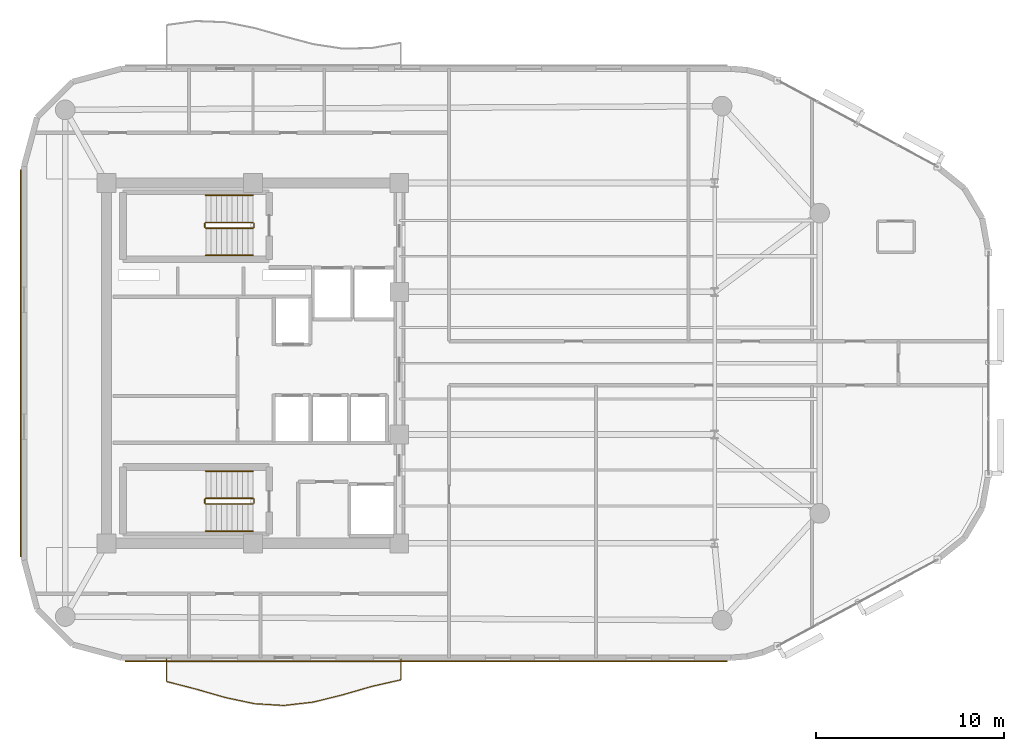
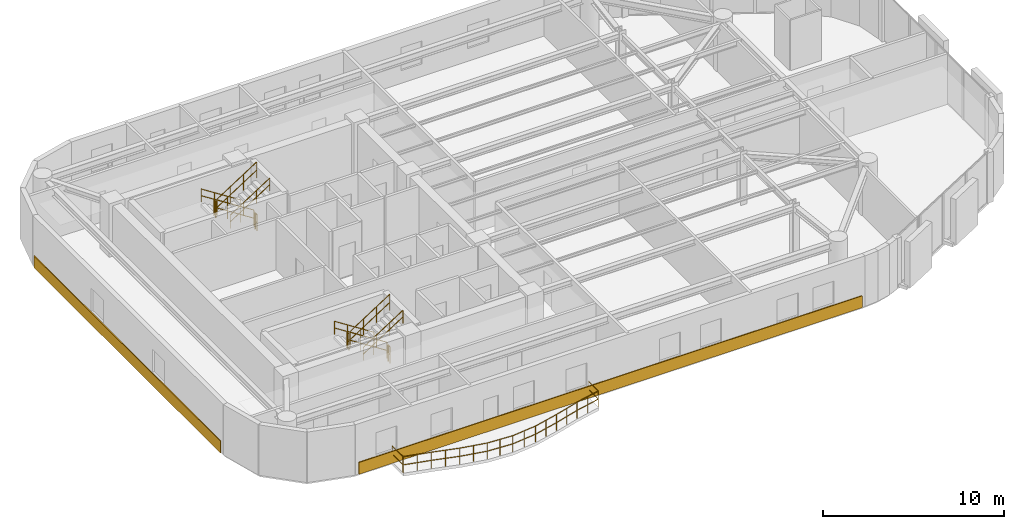
# One storey, part 12 of 13: 13 railings, 2 coverings.
"""IFC4 building model written with IfcOpenShell, lengths in metres."""

from ifc_helpers import new_model, si_unit, direction, frame, origin, origin_2d, place, context, subcontext, project, spatial, rectangle, circle, extrude, material, layer, layer_set, type_object, element, save


model = new_model("IFC4")

# Units and contexts
model_context = context("Model", 3, precision=1e-05, world=origin(), true_north=direction((0.0, 1.0)))
body_context = subcontext(model_context, "Body", "Model", "MODEL_VIEW")
ifc_project = project(units=[si_unit("LENGTHUNIT", "METRE"), si_unit("AREAUNIT", "SQUARE_METRE"), si_unit("VOLUMEUNIT", "CUBIC_METRE"), si_unit("PLANEANGLEUNIT", "RADIAN"), si_unit("MASSUNIT", "GRAM", prefix="KILO")], contexts=[model_context])

# Site, building, storey
site_placement = place(None, origin())
site = spatial("IfcSite", under=ifc_project, at=site_placement, CompositionType="ELEMENT")
building_placement = place(site_placement, origin())
building = spatial("IfcBuilding", under=site, at=building_placement, Name="An Khanh Terracotta Commons", CompositionType="ELEMENT")
storey_placement = place(building_placement, frame((0.0, 0.0, 204.89990234375)))
storey = spatial("IfcBuildingStorey", under=building, at=storey_placement, Name="L53", CompositionType="ELEMENT", Elevation=204.89990234375)

# Coverings
ifc_material_1 = material(Name="Fired Terracotta Rainscreen Cladding", Category="masonry")
ifc_layer = layer(ifc_material_1, 0.06005859375, Name="Fired Terracotta Rainscreen Cladding")
ifc_layer_set = layer_set([ifc_layer], Name="Fired Terracotta Rainscreen Cladding")
covering_type = type_object("IfcCoveringType", Name="COV-SPANDREL-TERRA", PredefinedType="CLADDING", material=ifc_layer_set)
covering_1_placement = place(storey_placement, frame((38.64208984375, 8.1201171875, 0.02001953125), z_axis=(0.0, 0.0, 1.0), x_axis=(1.0, 0.0, 0.0)))
element("IfcCovering", 1, at=covering_1_placement, inside=storey, type_object=covering_type, Name="L53 Terracotta Spandrel Cladding 4", PredefinedType="CLADDING", context=body_context, shape_type="SweptSolid", body=[
    extrude(rectangle(XDim=32.0849609375, YDim=0.06005859375, at=origin_2d()), origin(), (0.0, 0.0, 1.0), 0.800048828125),
])
covering_2_placement = place(storey_placement, frame((17.02001953125, 24.0, 0.02001953125), z_axis=(0.0, 0.0, 1.0), x_axis=(0.0, -1.0, 0.0)))
element("IfcCovering", 2, at=covering_2_placement, inside=storey, type_object=covering_type, Name="L53 Terracotta Spandrel Cladding 24", PredefinedType="CLADDING", context=body_context, shape_type="SweptSolid", body=[
    extrude(rectangle(XDim=20.60009765625, YDim=0.06005859375, at=origin_2d()), origin(), (0.0, 0.0, 1.0), 0.800048828125),
])

# Railings
ifc_material_2 = material(Name="Brushed Stainless Steel 316", Category="steel")
railing_type_1 = type_object("IfcRailingType", Name="RAIL-BALUSTRADE-1100", PredefinedType="BALUSTRADE", material=ifc_material_2)
railing_1_placement = place(storey_placement, frame((24.800048828125, 8.239990234375, 0.0)))
element("IfcRailing", 3, at=railing_1_placement, inside=storey, type_object=railing_type_1, Name="L53 S Wave Balcony Guard Balustrade", PredefinedType="BALUSTRADE", context=body_context, shape_type="SweptSolid", body=[
    extrude(circle(Radius=0.02392578125, at=origin_2d()), frame((0.0, 0.0, 1.076171875), z_axis=(0.0, -1.0, 0.0), x_axis=(1.0, 0.0, 0.0)), (0.0, 0.0, 1.0), 1.199951171875),
    extrude(circle(Radius=0.02392578125, at=origin_2d()), frame((0.0, 0.0, 0.52587890625), z_axis=(0.0, -1.0, 0.0), x_axis=(1.0, 0.0, 0.0)), (0.0, 0.0, 1.0), 1.199951171875),
    extrude(circle(Radius=0.02392578125, at=origin_2d()), frame((0.0, -1.199951171875, 1.076171875), z_axis=(0.968464779467, -0.24915049856, 0.0), x_axis=(0.24915049856, 0.968464779467, 0.0)), (0.0, 0.0, 1.0), 1.61376953125),
    extrude(circle(Radius=0.02392578125, at=origin_2d()), frame((0.0, -1.199951171875, 0.52587890625), z_axis=(0.968464779467, -0.24915049856, 0.0), x_axis=(0.24915049856, 0.968464779467, 0.0)), (0.0, 0.0, 1.0), 1.61376953125),
    extrude(circle(Radius=0.02392578125, at=origin_2d()), frame((1.56298828125, -1.60205078125, 1.076171875), z_axis=(0.961086255424, -0.27624845635, 0.0), x_axis=(0.27624845635, 0.961086255424, 0.0)), (0.0, 0.0, 1.0), 1.625244140625),
    extrude(circle(Radius=0.02392578125, at=origin_2d()), frame((1.56298828125, -1.60205078125, 0.52587890625), z_axis=(0.961086255424, -0.27624845635, 0.0), x_axis=(0.27624845635, 0.961086255424, 0.0)), (0.0, 0.0, 1.0), 1.625244140625),
    extrude(circle(Radius=0.02392578125, at=origin_2d()), frame((3.125, -2.051025390625, 1.076171875), z_axis=(0.97817205175, -0.207796624552, 0.0), x_axis=(0.207796624552, 0.97817205175, 0.0)), (0.0, 0.0, 1.0), 1.597900390625),
    extrude(circle(Radius=0.02392578125, at=origin_2d()), frame((3.125, -2.051025390625, 0.52587890625), z_axis=(0.97817205175, -0.207796624552, 0.0), x_axis=(0.207796624552, 0.97817205175, 0.0)), (0.0, 0.0, 1.0), 1.597900390625),
    extrude(circle(Radius=0.02392578125, at=origin_2d()), frame((4.68798828125, -2.383056640625, 1.076171875), z_axis=(0.998231609022, -0.059444551897, 0.0), x_axis=(0.059444551897, 0.998231609022, 0.0)), (0.0, 0.0, 1.0), 1.564697265625),
    extrude(circle(Radius=0.02392578125, at=origin_2d()), frame((4.68798828125, -2.383056640625, 0.52587890625), z_axis=(0.998231609022, -0.059444551897, 0.0), x_axis=(0.059444551897, 0.998231609022, 0.0)), (0.0, 0.0, 1.0), 1.564697265625),
    extrude(circle(Radius=0.02392578125, at=origin_2d()), frame((6.25, -2.47607421875, 1.076171875), z_axis=(0.993571157369, 0.113209342564, 0.0), x_axis=(-0.113209342564, 0.993571157369, 0.0)), (0.0, 0.0, 1.0), 1.572021484375),
    extrude(circle(Radius=0.02392578125, at=origin_2d()), frame((6.25, -2.47607421875, 0.52587890625), z_axis=(0.993571157369, 0.113209342564, 0.0), x_axis=(-0.113209342564, 0.993571157369, 0.0)), (0.0, 0.0, 1.0), 1.572021484375),
    extrude(circle(Radius=0.02392578125, at=origin_2d()), frame((7.81201171875, -2.298095703125, 1.076171875), z_axis=(0.9708342931, 0.239751486628, 0.0), x_axis=(-0.239751486628, 0.9708342931, 0.0)), (0.0, 0.0, 1.0), 1.60986328125),
    extrude(circle(Radius=0.02392578125, at=origin_2d()), frame((7.81201171875, -2.298095703125, 0.52587890625), z_axis=(0.9708342931, 0.239751486628, 0.0), x_axis=(-0.239751486628, 0.9708342931, 0.0)), (0.0, 0.0, 1.0), 1.60986328125),
    extrude(circle(Radius=0.02392578125, at=origin_2d()), frame((9.375, -1.912109375, 1.076171875), z_axis=(0.960566374917, 0.278050785612, 0.0), x_axis=(-0.278050785612, 0.960566374917, 0.0)), (0.0, 0.0, 1.0), 1.626220703125),
    extrude(circle(Radius=0.02392578125, at=origin_2d()), frame((9.375, -1.912109375, 0.52587890625), z_axis=(0.960566374917, 0.278050785612, 0.0), x_axis=(-0.278050785612, 0.960566374917, 0.0)), (0.0, 0.0, 1.0), 1.626220703125),
    extrude(circle(Radius=0.02392578125, at=origin_2d()), frame((10.93701171875, -1.4599609375, 1.076171875), z_axis=(0.975297200587, 0.220896741776, 0.0), x_axis=(-0.220896741776, 0.975297200587, 0.0)), (0.0, 0.0, 1.0), 1.6025390625),
    extrude(circle(Radius=0.02392578125, at=origin_2d()), frame((10.93701171875, -1.4599609375, 0.52587890625), z_axis=(0.975297200587, 0.220896741776, 0.0), x_axis=(-0.220896741776, 0.975297200587, 0.0)), (0.0, 0.0, 1.0), 1.6025390625),
    extrude(circle(Radius=0.02392578125, at=origin_2d()), frame((12.5, -1.10595703125, 1.076171875), z_axis=(0.0, 1.0, 0.0), x_axis=(-1.0, 0.0, 0.0)), (0.0, 0.0, 1.0), 1.10595703125),
    extrude(circle(Radius=0.02392578125, at=origin_2d()), frame((12.5, -1.10595703125, 0.52587890625), z_axis=(0.0, 1.0, 0.0), x_axis=(-1.0, 0.0, 0.0)), (0.0, 0.0, 1.0), 1.10595703125),
    extrude(circle(Radius=0.02099609375, at=origin_2d()), origin(), (0.0, 0.0, 1.0), 1.052001953125),
    extrude(circle(Radius=0.02099609375, at=origin_2d()), frame((0.0, -1.199951171875, 0.0)), (0.0, 0.0, 1.0), 1.052001953125),
    extrude(circle(Radius=0.02099609375, at=origin_2d()), frame((0.781494140625, -1.40087890625, 0.0)), (0.0, 0.0, 1.0), 1.052001953125),
    extrude(circle(Radius=0.02099609375, at=origin_2d()), frame((1.56298828125, -1.60205078125, 0.0)), (0.0, 0.0, 1.0), 1.052001953125),
    extrude(circle(Radius=0.02099609375, at=origin_2d()), frame((2.343994140625, -1.82666015625, 0.0)), (0.0, 0.0, 1.0), 1.052001953125),
    extrude(circle(Radius=0.02099609375, at=origin_2d()), frame((3.125, -2.051025390625, 0.0)), (0.0, 0.0, 1.0), 1.052001953125),
    extrude(circle(Radius=0.02099609375, at=origin_2d()), frame((3.906494140625, -2.217041015625, 0.0)), (0.0, 0.0, 1.0), 1.052001953125),
    extrude(circle(Radius=0.02099609375, at=origin_2d()), frame((4.68798828125, -2.383056640625, 0.0)), (0.0, 0.0, 1.0), 1.052001953125),
    extrude(circle(Radius=0.02099609375, at=origin_2d()), frame((5.468994140625, -2.4296875, 0.0)), (0.0, 0.0, 1.0), 1.052001953125),
    extrude(circle(Radius=0.02099609375, at=origin_2d()), frame((6.25, -2.47607421875, 0.0)), (0.0, 0.0, 1.0), 1.052001953125),
    extrude(circle(Radius=0.02099609375, at=origin_2d()), frame((7.031005859375, -2.38720703125, 0.0)), (0.0, 0.0, 1.0), 1.052001953125),
    extrude(circle(Radius=0.02099609375, at=origin_2d()), frame((7.81201171875, -2.298095703125, 0.0)), (0.0, 0.0, 1.0), 1.052001953125),
    extrude(circle(Radius=0.02099609375, at=origin_2d()), frame((8.593505859375, -2.10498046875, 0.0)), (0.0, 0.0, 1.0), 1.052001953125),
    extrude(circle(Radius=0.02099609375, at=origin_2d()), frame((9.375, -1.912109375, 0.0)), (0.0, 0.0, 1.0), 1.052001953125),
    extrude(circle(Radius=0.02099609375, at=origin_2d()), frame((10.156005859375, -1.68603515625, 0.0)), (0.0, 0.0, 1.0), 1.052001953125),
    extrude(circle(Radius=0.02099609375, at=origin_2d()), frame((10.93701171875, -1.4599609375, 0.0)), (0.0, 0.0, 1.0), 1.052001953125),
    extrude(circle(Radius=0.02099609375, at=origin_2d()), frame((11.718505859375, -1.282958984375, 0.0)), (0.0, 0.0, 1.0), 1.052001953125),
    extrude(circle(Radius=0.02099609375, at=origin_2d()), frame((12.5, -1.10595703125, 0.0)), (0.0, 0.0, 1.0), 1.052001953125),
    extrude(circle(Radius=0.02099609375, at=origin_2d()), frame((12.5, 0.0, 0.0)), (0.0, 0.0, 1.0), 1.052001953125),
])
railing_type_2 = type_object("IfcRailingType", Name="RAIL-HANDRAIL-900", PredefinedType="HANDRAIL", material=ifc_material_2)
railing_2_placement = place(storey_placement, frame((29.409912109375, 32.949951171875, 0.18017578125)))
element("IfcRailing", 4, at=railing_2_placement, inside=storey, type_object=railing_type_2, Name="L53 ST-01 stair handrail 1", PredefinedType="HANDRAIL", context=body_context, shape_type="SweptSolid", body=[
    extrude(circle(Radius=0.02392578125, at=origin_2d()), frame((0.0, 0.0, 0.8759765625), z_axis=(-0.841199657755, 0.0, 0.540724639528), x_axis=(0.0, -1.0, 0.0)), (0.0, 0.0, 1.0), 2.995849609375),
    extrude(circle(Radius=0.02392578125, at=origin_2d()), frame((0.0, 0.0, 0.42578125), z_axis=(-0.841199657755, 0.0, 0.540724639528), x_axis=(0.0, -1.0, 0.0)), (0.0, 0.0, 1.0), 2.995849609375),
    extrude(circle(Radius=0.02099609375, at=origin_2d()), origin(), (0.0, 0.0, 1.0), 0.851806640625),
    extrude(circle(Radius=0.02099609375, at=origin_2d()), frame((-0.840087890625, 0.0, 0.5400390625)), (0.0, 0.0, 1.0), 0.851806640625),
    extrude(circle(Radius=0.02099609375, at=origin_2d()), frame((-1.679931640625, 0.0, 1.079833984375)), (0.0, 0.0, 1.0), 0.851806640625),
    extrude(circle(Radius=0.02099609375, at=origin_2d()), frame((-2.52001953125, 0.0, 1.619873046875)), (0.0, 0.0, 1.0), 0.851806640625),
])
railing_3_placement = place(storey_placement, frame((26.889892578125, 29.75, 1.97998046875)))
element("IfcRailing", 5, at=railing_3_placement, inside=storey, type_object=railing_type_2, Name="L53 ST-01 stair handrail 2", PredefinedType="HANDRAIL", context=body_context, shape_type="SweptSolid", body=[
    extrude(circle(Radius=0.02392578125, at=origin_2d()), frame((0.0, 0.0, 0.8759765625), z_axis=(0.841162588446, 0.0, 0.540782303519), x_axis=(0.0, 1.0, 0.0)), (0.0, 0.0, 1.0), 2.995849609375),
    extrude(circle(Radius=0.02392578125, at=origin_2d()), frame((0.0, 0.0, 0.42578125), z_axis=(0.841162588446, 0.0, 0.540782303519), x_axis=(0.0, 1.0, 0.0)), (0.0, 0.0, 1.0), 2.995849609375),
    extrude(circle(Radius=0.02099609375, at=origin_2d()), origin(), (0.0, 0.0, 1.0), 0.851806640625),
    extrude(circle(Radius=0.02099609375, at=origin_2d()), frame((0.840087890625, 0.0, 0.5400390625)), (0.0, 0.0, 1.0), 0.851806640625),
    extrude(circle(Radius=0.02099609375, at=origin_2d()), frame((1.679931640625, 0.0, 1.080078125)), (0.0, 0.0, 1.0), 0.851806640625),
    extrude(circle(Radius=0.02099609375, at=origin_2d()), frame((2.52001953125, 0.0, 1.6201171875)), (0.0, 0.0, 1.0), 0.851806640625),
])
railing_4_placement = place(storey_placement, frame((29.409912109375, 18.25, 0.18017578125)))
element("IfcRailing", 6, at=railing_4_placement, inside=storey, type_object=railing_type_2, Name="L53 ST-02 stair handrail 1", PredefinedType="HANDRAIL", context=body_context, shape_type="SweptSolid", body=[
    extrude(circle(Radius=0.02392578125, at=origin_2d()), frame((0.0, 0.0, 0.8759765625), z_axis=(-0.841199657755, 0.0, 0.540724639528), x_axis=(0.0, -1.0, 0.0)), (0.0, 0.0, 1.0), 2.995849609375),
    extrude(circle(Radius=0.02392578125, at=origin_2d()), frame((0.0, 0.0, 0.42578125), z_axis=(-0.841199657755, 0.0, 0.540724639528), x_axis=(0.0, -1.0, 0.0)), (0.0, 0.0, 1.0), 2.995849609375),
    extrude(circle(Radius=0.02099609375, at=origin_2d()), origin(), (0.0, 0.0, 1.0), 0.851806640625),
    extrude(circle(Radius=0.02099609375, at=origin_2d()), frame((-0.840087890625, 0.0, 0.5400390625)), (0.0, 0.0, 1.0), 0.851806640625),
    extrude(circle(Radius=0.02099609375, at=origin_2d()), frame((-1.679931640625, 0.0, 1.079833984375)), (0.0, 0.0, 1.0), 0.851806640625),
    extrude(circle(Radius=0.02099609375, at=origin_2d()), frame((-2.52001953125, 0.0, 1.619873046875)), (0.0, 0.0, 1.0), 0.851806640625),
])
railing_5_placement = place(storey_placement, frame((26.889892578125, 15.050048828125, 1.97998046875)))
element("IfcRailing", 7, at=railing_5_placement, inside=storey, type_object=railing_type_2, Name="L53 ST-02 stair handrail 2", PredefinedType="HANDRAIL", context=body_context, shape_type="SweptSolid", body=[
    extrude(circle(Radius=0.02392578125, at=origin_2d()), frame((0.0, 0.0, 0.8759765625), z_axis=(0.841162588446, 0.0, 0.540782303519), x_axis=(0.0, 1.0, 0.0)), (0.0, 0.0, 1.0), 2.995849609375),
    extrude(circle(Radius=0.02392578125, at=origin_2d()), frame((0.0, 0.0, 0.42578125), z_axis=(0.841162588446, 0.0, 0.540782303519), x_axis=(0.0, 1.0, 0.0)), (0.0, 0.0, 1.0), 2.995849609375),
    extrude(circle(Radius=0.02099609375, at=origin_2d()), origin(), (0.0, 0.0, 1.0), 0.851806640625),
    extrude(circle(Radius=0.02099609375, at=origin_2d()), frame((0.840087890625, 0.0, 0.5400390625)), (0.0, 0.0, 1.0), 0.851806640625),
    extrude(circle(Radius=0.02099609375, at=origin_2d()), frame((1.679931640625, 0.0, 1.080078125)), (0.0, 0.0, 1.0), 0.851806640625),
    extrude(circle(Radius=0.02099609375, at=origin_2d()), frame((2.52001953125, 0.0, 1.6201171875)), (0.0, 0.0, 1.0), 0.851806640625),
])
ifc_material_3 = material(Name="Powder-Coated Steel S355J2", Category="steel")
railing_type_3 = type_object("IfcRailingType", Name="RAIL-STAIR-GUARD-1100", PredefinedType="BALUSTRADE", material=ifc_material_3)
railing_6_placement = place(storey_placement, frame((29.409912109375, 31.5, 0.18017578125)))
element("IfcRailing", 8, at=railing_6_placement, inside=storey, type_object=railing_type_3, Name="L53 ST-01 stair guard 1", PredefinedType="BALUSTRADE", context=body_context, shape_type="SweptSolid", body=[
    extrude(circle(Radius=0.02392578125, at=origin_2d()), frame((0.0, 0.0, 1.076171875), z_axis=(-0.841199657755, 0.0, 0.540724639528), x_axis=(0.0, -1.0, 0.0)), (0.0, 0.0, 1.0), 2.995849609375),
    extrude(circle(Radius=0.02392578125, at=origin_2d()), frame((0.0, 0.0, 0.52587890625), z_axis=(-0.841199657755, 0.0, 0.540724639528), x_axis=(0.0, -1.0, 0.0)), (0.0, 0.0, 1.0), 2.995849609375),
    extrude(circle(Radius=0.02099609375, at=origin_2d()), origin(), (0.0, 0.0, 1.0), 1.052001953125),
    extrude(circle(Radius=0.02099609375, at=origin_2d()), frame((-0.840087890625, 0.0, 0.5400390625)), (0.0, 0.0, 1.0), 1.052001953125),
    extrude(circle(Radius=0.02099609375, at=origin_2d()), frame((-1.679931640625, 0.0, 1.079833984375)), (0.0, 0.0, 1.0), 1.052001953125),
    extrude(circle(Radius=0.02099609375, at=origin_2d()), frame((-2.52001953125, 0.0, 1.619873046875)), (0.0, 0.0, 1.0), 1.052001953125),
])
railing_7_placement = place(storey_placement, frame((26.840087890625, 31.449951171875, 1.800048828125)))
element("IfcRailing", 9, at=railing_7_placement, inside=storey, type_object=railing_type_3, Name="L53 ST-01 stair guard 2", PredefinedType="BALUSTRADE", context=body_context, shape_type="SweptSolid", body=[
    extrude(circle(Radius=0.02392578125, at=origin_2d()), frame((0.0, 0.0, 1.076171875), z_axis=(0.0, -1.0, 0.0), x_axis=(1.0, 0.0, 0.0)), (0.0, 0.0, 1.0), 0.199951171875),
    extrude(circle(Radius=0.02392578125, at=origin_2d()), frame((0.0, 0.0, 0.52587890625), z_axis=(0.0, -1.0, 0.0), x_axis=(1.0, 0.0, 0.0)), (0.0, 0.0, 1.0), 0.199951171875),
    extrude(circle(Radius=0.02099609375, at=origin_2d()), origin(), (0.0, 0.0, 1.0), 1.052001953125),
    extrude(circle(Radius=0.02099609375, at=origin_2d()), frame((0.0, -0.199951171875, 0.0)), (0.0, 0.0, 1.0), 1.052001953125),
])
railing_8_placement = place(storey_placement, frame((26.889892578125, 31.199951171875, 1.97998046875)))
element("IfcRailing", 10, at=railing_8_placement, inside=storey, type_object=railing_type_3, Name="L53 ST-01 stair guard 3", PredefinedType="BALUSTRADE", context=body_context, shape_type="SweptSolid", body=[
    extrude(circle(Radius=0.02392578125, at=origin_2d()), frame((0.0, 0.0, 1.076171875), z_axis=(0.841162588446, 0.0, 0.540782303519), x_axis=(0.0, 1.0, 0.0)), (0.0, 0.0, 1.0), 2.995849609375),
    extrude(circle(Radius=0.02392578125, at=origin_2d()), frame((0.0, 0.0, 0.52587890625), z_axis=(0.841162588446, 0.0, 0.540782303519), x_axis=(0.0, 1.0, 0.0)), (0.0, 0.0, 1.0), 2.995849609375),
    extrude(circle(Radius=0.02099609375, at=origin_2d()), origin(), (0.0, 0.0, 1.0), 1.052001953125),
    extrude(circle(Radius=0.02099609375, at=origin_2d()), frame((0.840087890625, 0.0, 0.5400390625)), (0.0, 0.0, 1.0), 1.052001953125),
    extrude(circle(Radius=0.02099609375, at=origin_2d()), frame((1.679931640625, 0.0, 1.080078125)), (0.0, 0.0, 1.0), 1.052001953125),
    extrude(circle(Radius=0.02099609375, at=origin_2d()), frame((2.52001953125, 0.0, 1.6201171875)), (0.0, 0.0, 1.0), 1.052001953125),
])
railing_9_placement = place(storey_placement, frame((29.4599609375, 31.449951171875, 0.0)))
element("IfcRailing", 11, at=railing_9_placement, inside=storey, type_object=railing_type_3, Name="L53 ST-01 stair guard 4", PredefinedType="BALUSTRADE", context=body_context, shape_type="SweptSolid", body=[
    extrude(circle(Radius=0.02392578125, at=origin_2d()), frame((0.0, 0.0, 1.076171875), z_axis=(0.0, -1.0, 0.0), x_axis=(1.0, 0.0, 0.0)), (0.0, 0.0, 1.0), 0.199951171875),
    extrude(circle(Radius=0.02392578125, at=origin_2d()), frame((0.0, 0.0, 0.52587890625), z_axis=(0.0, -1.0, 0.0), x_axis=(1.0, 0.0, 0.0)), (0.0, 0.0, 1.0), 0.199951171875),
    extrude(circle(Radius=0.02099609375, at=origin_2d()), origin(), (0.0, 0.0, 1.0), 1.052001953125),
    extrude(circle(Radius=0.02099609375, at=origin_2d()), frame((0.0, -0.199951171875, 0.0)), (0.0, 0.0, 1.0), 1.052001953125),
])
railing_10_placement = place(storey_placement, frame((29.409912109375, 16.800048828125, 0.18017578125)))
element("IfcRailing", 12, at=railing_10_placement, inside=storey, type_object=railing_type_3, Name="L53 ST-02 stair guard 1", PredefinedType="BALUSTRADE", context=body_context, shape_type="SweptSolid", body=[
    extrude(circle(Radius=0.02392578125, at=origin_2d()), frame((0.0, 0.0, 1.076171875), z_axis=(-0.841199657755, 0.0, 0.540724639528), x_axis=(0.0, -1.0, 0.0)), (0.0, 0.0, 1.0), 2.995849609375),
    extrude(circle(Radius=0.02392578125, at=origin_2d()), frame((0.0, 0.0, 0.52587890625), z_axis=(-0.841199657755, 0.0, 0.540724639528), x_axis=(0.0, -1.0, 0.0)), (0.0, 0.0, 1.0), 2.995849609375),
    extrude(circle(Radius=0.02099609375, at=origin_2d()), origin(), (0.0, 0.0, 1.0), 1.052001953125),
    extrude(circle(Radius=0.02099609375, at=origin_2d()), frame((-0.840087890625, 0.0, 0.5400390625)), (0.0, 0.0, 1.0), 1.052001953125),
    extrude(circle(Radius=0.02099609375, at=origin_2d()), frame((-1.679931640625, 0.0, 1.079833984375)), (0.0, 0.0, 1.0), 1.052001953125),
    extrude(circle(Radius=0.02099609375, at=origin_2d()), frame((-2.52001953125, 0.0, 1.619873046875)), (0.0, 0.0, 1.0), 1.052001953125),
])
railing_11_placement = place(storey_placement, frame((26.840087890625, 16.75, 1.800048828125)))
element("IfcRailing", 13, at=railing_11_placement, inside=storey, type_object=railing_type_3, Name="L53 ST-02 stair guard 2", PredefinedType="BALUSTRADE", context=body_context, shape_type="SweptSolid", body=[
    extrude(circle(Radius=0.02392578125, at=origin_2d()), frame((0.0, 0.0, 1.076171875), z_axis=(0.0, -1.0, 0.0), x_axis=(1.0, 0.0, 0.0)), (0.0, 0.0, 1.0), 0.199951171875),
    extrude(circle(Radius=0.02392578125, at=origin_2d()), frame((0.0, 0.0, 0.52587890625), z_axis=(0.0, -1.0, 0.0), x_axis=(1.0, 0.0, 0.0)), (0.0, 0.0, 1.0), 0.199951171875),
    extrude(circle(Radius=0.02099609375, at=origin_2d()), origin(), (0.0, 0.0, 1.0), 1.052001953125),
    extrude(circle(Radius=0.02099609375, at=origin_2d()), frame((0.0, -0.199951171875, 0.0)), (0.0, 0.0, 1.0), 1.052001953125),
])
railing_12_placement = place(storey_placement, frame((26.889892578125, 16.5, 1.97998046875)))
element("IfcRailing", 14, at=railing_12_placement, inside=storey, type_object=railing_type_3, Name="L53 ST-02 stair guard 3", PredefinedType="BALUSTRADE", context=body_context, shape_type="SweptSolid", body=[
    extrude(circle(Radius=0.02392578125, at=origin_2d()), frame((0.0, 0.0, 1.076171875), z_axis=(0.841162588446, 0.0, 0.540782303519), x_axis=(0.0, 1.0, 0.0)), (0.0, 0.0, 1.0), 2.995849609375),
    extrude(circle(Radius=0.02392578125, at=origin_2d()), frame((0.0, 0.0, 0.52587890625), z_axis=(0.841162588446, 0.0, 0.540782303519), x_axis=(0.0, 1.0, 0.0)), (0.0, 0.0, 1.0), 2.995849609375),
    extrude(circle(Radius=0.02099609375, at=origin_2d()), origin(), (0.0, 0.0, 1.0), 1.052001953125),
    extrude(circle(Radius=0.02099609375, at=origin_2d()), frame((0.840087890625, 0.0, 0.5400390625)), (0.0, 0.0, 1.0), 1.052001953125),
    extrude(circle(Radius=0.02099609375, at=origin_2d()), frame((1.679931640625, 0.0, 1.080078125)), (0.0, 0.0, 1.0), 1.052001953125),
    extrude(circle(Radius=0.02099609375, at=origin_2d()), frame((2.52001953125, 0.0, 1.6201171875)), (0.0, 0.0, 1.0), 1.052001953125),
])
railing_13_placement = place(storey_placement, frame((29.4599609375, 16.75, 0.0)))
element("IfcRailing", 15, at=railing_13_placement, inside=storey, type_object=railing_type_3, Name="L53 ST-02 stair guard 4", PredefinedType="BALUSTRADE", context=body_context, shape_type="SweptSolid", body=[
    extrude(circle(Radius=0.02392578125, at=origin_2d()), frame((0.0, 0.0, 1.076171875), z_axis=(0.0, -1.0, 0.0), x_axis=(1.0, 0.0, 0.0)), (0.0, 0.0, 1.0), 0.199951171875),
    extrude(circle(Radius=0.02392578125, at=origin_2d()), frame((0.0, 0.0, 0.52587890625), z_axis=(0.0, -1.0, 0.0), x_axis=(1.0, 0.0, 0.0)), (0.0, 0.0, 1.0), 0.199951171875),
    extrude(circle(Radius=0.02099609375, at=origin_2d()), origin(), (0.0, 0.0, 1.0), 1.052001953125),
    extrude(circle(Radius=0.02099609375, at=origin_2d()), frame((0.0, -0.199951171875, 0.0)), (0.0, 0.0, 1.0), 1.052001953125),
])

save(model, "model.ifc")
